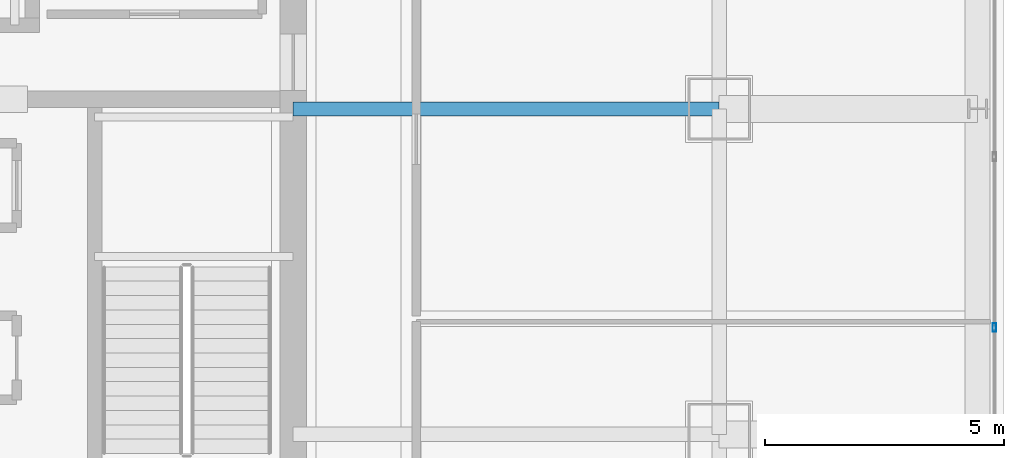
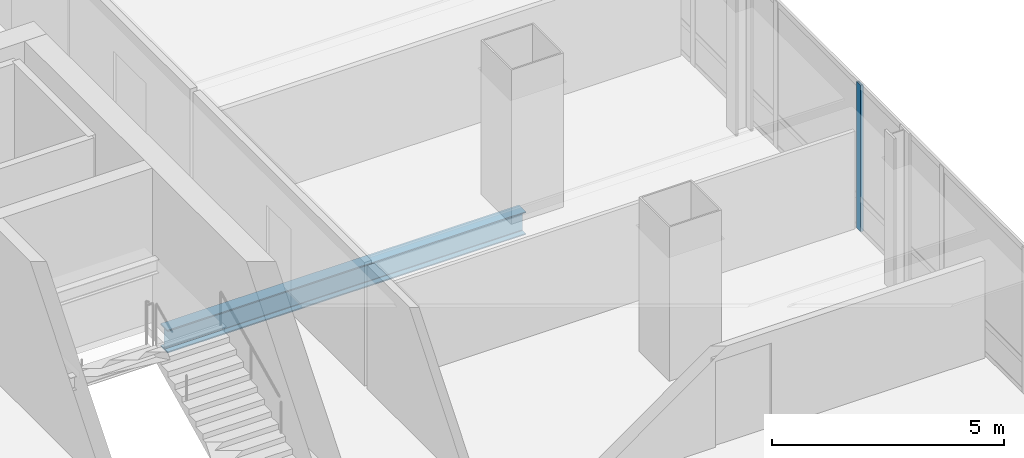
# One storey, part 18 of 42: 1 beam, 1 member, 1 element without a shape of its own.
"""IFC4 building model written with IfcOpenShell, lengths in metres."""

import ifcopenshell
import ifcopenshell.guid

model = None  # the IFC model being written
_history = None  # IfcOwnerHistory: only IFC2X3 demands one
_inside = {}  # id of a spatial element -> (the spatial element, [elements in it])
_under = {}  # id of a project, library or spatial element -> (it, [spatial elements below it])
_declared = {}  # id of a project -> (the project, [libraries it declares])
_typed = {}  # id of a type object -> (the type object, [elements of that type])
_made_of = {}  # id of a material, layer set ... -> (it, [elements and type objects made of it])


def new_model(schema):
    """Start an empty IFC model of exactly this schema.

    Asked for "IFC4X3", IfcOpenShell would pick the latest addendum, in which some entities
    have other attributes; the version numbers below select the first issue.
    IFC2X3 requires an IfcOwnerHistory on every rooted entity: one is made here for all.
    """
    global model, _history
    if schema == "IFC4X3":
        model = ifcopenshell.file(schema_version=(4, 3, 0, 0))
    else:
        model = ifcopenshell.file(schema=schema)
    _inside.clear()
    _under.clear()
    _declared.clear()
    _typed.clear()
    _made_of.clear()
    _history = None
    if model.schema == "IFC2X3":
        org = make("IfcOrganization", Name="unknown")
        user = make(
            "IfcPersonAndOrganization",
            ThePerson=make("IfcPerson", FamilyName="unknown"),
            TheOrganization=org,
        )
        app = make(
            "IfcApplication",
            ApplicationDeveloper=org,
            Version="unknown",
            ApplicationFullName="unknown",
            ApplicationIdentifier="unknown",
        )
        _history = make(
            "IfcOwnerHistory",
            OwningUser=user,
            OwningApplication=app,
            ChangeAction="ADDED",
            CreationDate=0,
        )
    return model


def make(cls, **values):
    """One entity of the class cls with the attributes given. An attribute that is None is left unset."""
    return model.create_entity(
        cls, **{name: value for name, value in values.items() if value is not None}
    )


def rooted(cls, **values):
    """An entity with a GlobalId (a new one), such as an element, a storey or a relation."""
    return make(cls, GlobalId=ifcopenshell.guid.new(), OwnerHistory=_history, **values)


def si_unit(unit_type, name, prefix=None):
    """IfcSIUnit, for example si_unit("LENGTHUNIT", "METRE", prefix="MILLI")."""
    return make("IfcSIUnit", UnitType=unit_type, Prefix=prefix, Name=name)


def assignment(units):
    """IfcUnitAssignment: the units of a project."""
    return None if units is None else make("IfcUnitAssignment", Units=units)


def point(xyz):
    """IfcCartesianPoint."""
    return None if xyz is None else make("IfcCartesianPoint", Coordinates=xyz)


def direction(xyz):
    """IfcDirection."""
    return None if xyz is None else make("IfcDirection", DirectionRatios=xyz)


def frame(location, z_axis=None, x_axis=None):
    """IfcAxis2Placement3D, a coordinate frame: its origin and axes. An axis left out is left unset."""
    return make(
        "IfcAxis2Placement3D",
        Location=point(location),
        Axis=direction(z_axis),
        RefDirection=direction(x_axis),
    )


def frame_2d(location, x_axis=None):
    """IfcAxis2Placement2D, a coordinate frame in the plane: its origin and x axis."""
    return make(
        "IfcAxis2Placement2D", Location=point(location), RefDirection=direction(x_axis)
    )


def origin():
    """The frame at (0, 0, 0) with its axes left unset."""
    return frame((0.0, 0.0, 0.0))


def origin_2d():
    """The frame at (0, 0) in the plane with its x axis left unset."""
    return frame_2d((0.0, 0.0))


def place(relative_to, where):
    """IfcLocalPlacement: puts the frame where relative to a parent placement (None: the world)."""
    return make(
        "IfcLocalPlacement", PlacementRelTo=relative_to, RelativePlacement=where
    )


def context(
    kind, dimensions, precision=None, world=None, true_north=None, identifier=None
):
    """IfcGeometricRepresentationContext, for example the 3D "Model" context."""
    return make(
        "IfcGeometricRepresentationContext",
        ContextIdentifier=identifier,
        ContextType=kind,
        CoordinateSpaceDimension=dimensions,
        Precision=precision,
        WorldCoordinateSystem=world,
        TrueNorth=true_north,
    )


def subcontext(parent, identifier, kind, view, scale=None):
    """IfcGeometricRepresentationSubContext, for example "Body" below "Model"."""
    return make(
        "IfcGeometricRepresentationSubContext",
        ContextIdentifier=identifier,
        ContextType=kind,
        ParentContext=parent,
        TargetScale=scale,
        TargetView=view,
    )


def project(units=None, contexts=None):
    """IfcProject with its units and contexts."""
    return rooted(
        "IfcProject",
        Name="project",
        RepresentationContexts=contexts,
        UnitsInContext=assignment(units),
    )


def spatial(cls, under=None, at=None, **own):
    """A site, building, storey or space (cls), placed at a placement, below another one or the project."""
    s = rooted(cls, ObjectPlacement=at, **own)
    if under is not None:
        _under.setdefault(under.id(), (under, []))[1].append(s)
    return s


def profile(cls, at=None, kind="AREA", **sizes):
    """A parametric profile (cls). Its sizes go by their IFC names, for example OverallWidth=200.0."""
    return make(cls, ProfileType=kind, Position=at, **sizes)


def hollow_rectangle(**sizes):
    """IfcRectangleHollowProfileDef."""
    return profile("IfcRectangleHollowProfileDef", **sizes)


def i_section(**sizes):
    """IfcIShapeProfileDef."""
    return profile("IfcIShapeProfileDef", **sizes)


def extrude(swept, where, along, depth):
    """IfcExtrudedAreaSolid: the profile swept, set in the frame where, extruded along a direction by depth."""
    return make(
        "IfcExtrudedAreaSolid",
        SweptArea=swept,
        Position=where,
        ExtrudedDirection=direction(along),
        Depth=depth,
    )


def shape(context_of_items, identifier, shape_type, items):
    """IfcShapeRepresentation: the items that make up one representation, for example the "Body"."""
    return make(
        "IfcShapeRepresentation",
        ContextOfItems=context_of_items,
        RepresentationIdentifier=identifier,
        RepresentationType=shape_type,
        Items=items,
    )


def material(Name=None, Category=None):
    """IfcMaterial."""
    return make("IfcMaterial", Name=Name, Category=Category)


def material_profile(
    of_material, cross_section, Name=None, Category=None, Priority=None
):
    """IfcMaterialProfile: a cross section and its material."""
    return make(
        "IfcMaterialProfile",
        Name=Name,
        Material=of_material,
        Profile=cross_section,
        Priority=Priority,
        Category=Category,
    )


def profile_set(profiles, Name=None, composite=None):
    """IfcMaterialProfileSet."""
    return make(
        "IfcMaterialProfileSet",
        Name=Name,
        MaterialProfiles=profiles,
        CompositeProfile=composite,
    )


def made_of(thing, what):
    """Note that an element or type object is made of a material, layer set ...; save() writes the relation."""
    if what is not None:
        _made_of.setdefault(what.id(), (what, []))[1].append(thing)
    return thing


def type_object(cls, material=None, **own):
    """A type object (cls), such as IfcWallType, which elements share."""
    return made_of(rooted(cls, **own), material)


def element(
    cls,
    number,
    at=None,
    inside=None,
    cuts=None,
    type_object=None,
    material=None,
    context=None,
    identifier="Body",
    shape_type=None,
    held_by="IfcProductDefinitionShape",
    body=None,
    shapes=None,
    **own,
):
    """One element of the class cls, such as IfcWall. Its Tag is "e" and its number.

    at: its placement. inside: the storey or other place that contains it. cuts: it is an
    opening in that element (IfcRelVoidsElement). A single representation is given by context,
    identifier, shape_type and body (its items); several are given by shapes. held_by: the class
    of the entity that holds the representations. save() writes the other relations.
    """
    e = rooted(cls, Tag="e%d" % number, ObjectPlacement=at, **own)
    if body is not None:
        shapes = [shape(context, identifier, shape_type, body)]
    if shapes is not None:
        e.Representation = make(held_by, Representations=shapes)
    if inside is not None:
        _inside.setdefault(inside.id(), (inside, []))[1].append(e)
    if cuts is not None:
        rooted(
            "IfcRelVoidsElement", RelatingBuildingElement=cuts, RelatedOpeningElement=e
        )
    if type_object is not None:
        _typed.setdefault(type_object.id(), (type_object, []))[1].append(e)
    return made_of(e, material)


def aggregate(whole, parts):
    """IfcRelAggregates: a whole, such as a stair, and the parts it consists of."""
    return rooted("IfcRelAggregates", RelatingObject=whole, RelatedObjects=parts)


def save(model, path):
    """Write the relations noted so far, then the file.

    IfcRelAggregates (storeys below a building ...), IfcRelContainedInSpatialStructure (elements
    in a storey), IfcRelDefinesByType, IfcRelAssociatesMaterial and IfcRelDeclares: one each for
    every whole, place, type object, material and project.
    """
    for whole, parts in _under.values():
        aggregate(whole, parts)
    for where, things in _inside.values():
        rooted(
            "IfcRelContainedInSpatialStructure",
            RelatedElements=things,
            RelatingStructure=where,
        )
    for kind, things in _typed.values():
        rooted("IfcRelDefinesByType", RelatedObjects=things, RelatingType=kind)
    for what, things in _made_of.values():
        rooted("IfcRelAssociatesMaterial", RelatedObjects=things, RelatingMaterial=what)
    for by, libraries in _declared.values():
        rooted("IfcRelDeclares", RelatingContext=by, RelatedDefinitions=libraries)
    model.write(path)


model = new_model("IFC4")

# Units and contexts
model_context = context("Model", 3, precision=1e-05, world=origin(), true_north=direction((0.0, 1.0)))
body_context = subcontext(model_context, "Body", "Model", "MODEL_VIEW")
ifc_project = project(units=[si_unit("LENGTHUNIT", "METRE"), si_unit("AREAUNIT", "SQUARE_METRE"), si_unit("VOLUMEUNIT", "CUBIC_METRE"), si_unit("PLANEANGLEUNIT", "RADIAN"), si_unit("MASSUNIT", "GRAM", prefix="KILO")], contexts=[model_context])

# Site, building, storey
site_placement = place(None, origin())
site = spatial("IfcSite", under=ifc_project, at=site_placement, CompositionType="ELEMENT")
building_placement = place(site_placement, origin())
building = spatial("IfcBuilding", under=site, at=building_placement, Name="Punatoya Terracotta Tower", CompositionType="ELEMENT")
storey_placement = place(building_placement, frame((0.0, 0.0, 263.550048828125)))
storey = spatial("IfcBuildingStorey", under=building, at=storey_placement, Name="L62", CompositionType="ELEMENT", Elevation=263.550048828125)

# Beam
ifc_material_1 = material(Name="Steel S355", Category="steel")
ifc_material_profile_1 = material_profile(ifc_material_1, i_section(OverallWidth=0.300048828125, OverallDepth=0.60009765625, WebThickness=0.015380859375, FlangeThickness=0.030029296875, FilletRadius=0.01806640625, at=origin_2d()))
ifc_profile_set_1 = profile_set([ifc_material_profile_1], Name="Steel S355")
beam_type = type_object("IfcBeamType", Name="BM-PRI-600", PredefinedType="BEAM", material=ifc_profile_set_1)
beam_placement = place(storey_placement, frame((10.199951171875, 3.39990234375, -0.5), z_axis=(1.0, 0.0, 0.0), x_axis=(0.0, 1.0, 0.0)))
element("IfcBeam", 1, at=beam_placement, inside=storey, type_object=beam_type, Name="BM-L62-PR-EE", PredefinedType="BEAM", context=body_context, shape_type="SweptSolid", body=[
    extrude(i_section(OverallWidth=0.300048828125, OverallDepth=0.60009765625, WebThickness=0.015380859375, FlangeThickness=0.030029296875, FilletRadius=0.01806640625, at=origin_2d()), origin(), (0.0, 0.0, 1.0), 8.900146484375),
])

# Curtain wall, member
ifc_material_2 = material(Name="Aluminium 6063-T6 + Double Low-E Glass", Category="aluminium")
curtain_wall_type = type_object("IfcCurtainWallType", Name="CW-M3", PredefinedType="NOTDEFINED", material=ifc_material_2)
curtain_wall_placement = place(storey_placement, origin())
curtain_wall = element("IfcCurtainWall", 2, at=curtain_wall_placement, inside=storey, type_object=curtain_wall_type, Name="L62 Curtain Wall CW-L62-E05-1", PredefinedType="NOTDEFINED")
ifc_material_3 = material(Name="Aluminium 6063-T6", Category="aluminium")
ifc_material_profile_2 = material_profile(ifc_material_3, hollow_rectangle(XDim=0.070068359375, YDim=0.179931640625, WallThickness=0.00390625, at=origin_2d()))
ifc_profile_set_2 = profile_set([ifc_material_profile_2], Name="Aluminium 6063-T6")
member_type = type_object("IfcMemberType", Name="CW-MUL-M3", PredefinedType="MULLION", material=ifc_profile_set_2)
member_placement = place(storey_placement, frame((24.85009765625, -1.16748046875, 0.0), z_axis=(0.0, 0.0, 1.0), x_axis=(1.0, 0.0, 0.0)))
member = element("IfcMember", 3, at=member_placement, type_object=member_type, Name="CW-L62-E05-1 Mullion 04", PredefinedType="MULLION", context=body_context, shape_type="SweptSolid", body=[
    extrude(hollow_rectangle(XDim=0.070068359375, YDim=0.179931640625, WallThickness=0.00390625, at=origin_2d()), origin(), (0.0, 0.0, 1.0), 3.849853515625),
])
aggregate(curtain_wall, [member])

save(model, "model.ifc")
